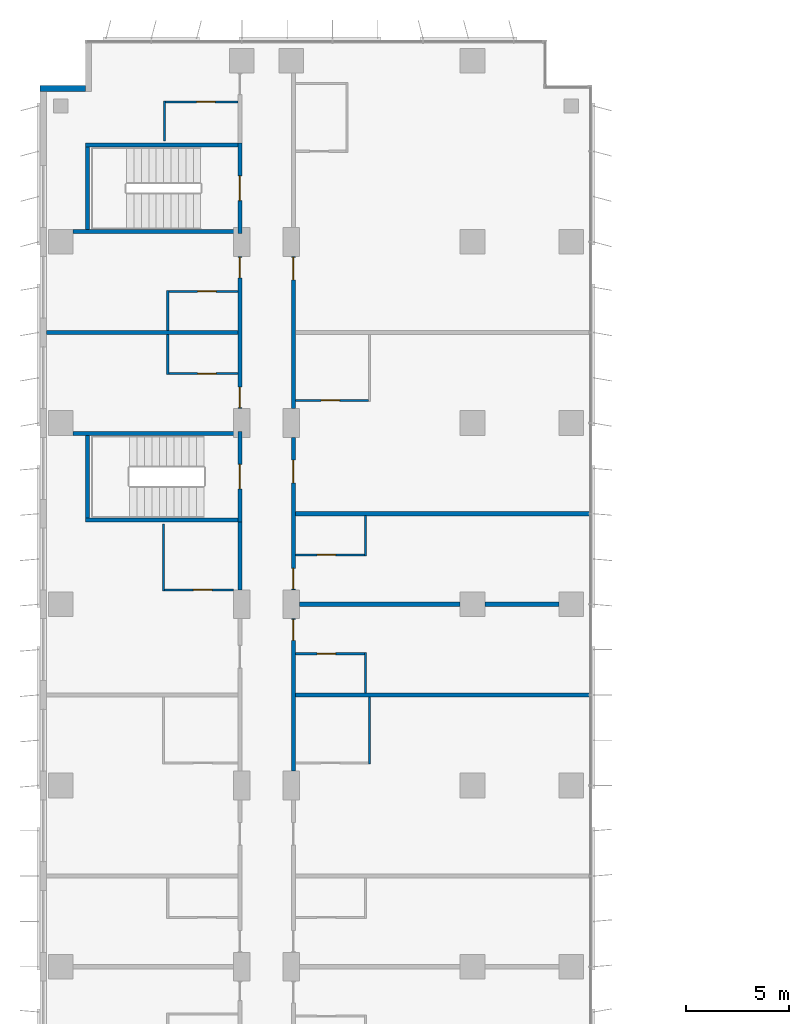
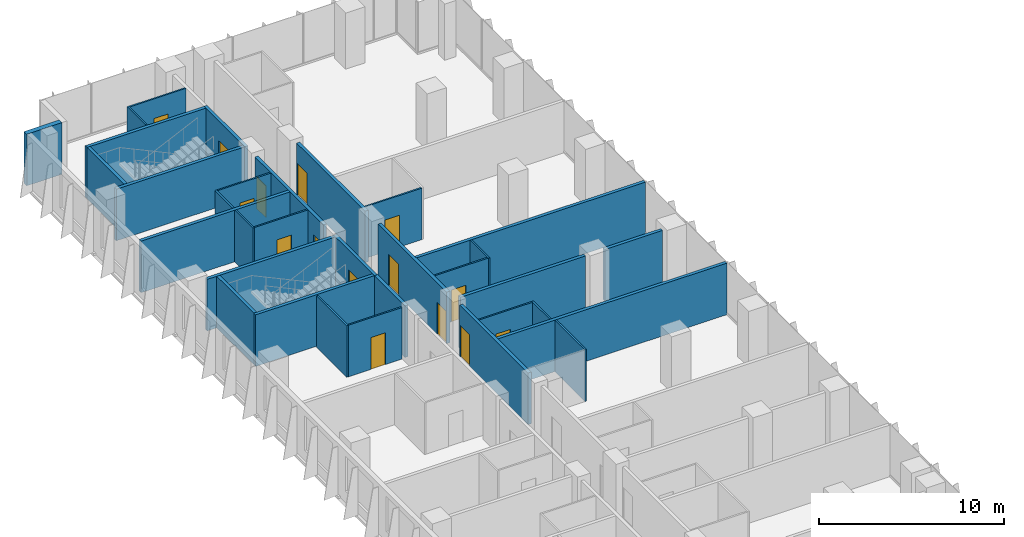
# One storey, part 17 of 23: 33 walls, 15 doors, 15 openings.
"""IFC4 building model written with IfcOpenShell, lengths in metres."""

from ifc_helpers import new_model, si_unit, direction, frame, frame_2d, origin, place, context, subcontext, project, spatial, rectangle, extrude, material, layer, layer_set, type_object, element, fill, save


model = new_model("IFC4")

# Units and contexts
model_context = context("Model", 3, precision=1e-05, world=origin(), true_north=direction((0.0, 1.0)))
body_context = subcontext(model_context, "Body", "Model", "MODEL_VIEW")
ifc_project = project(units=[si_unit("LENGTHUNIT", "METRE"), si_unit("AREAUNIT", "SQUARE_METRE"), si_unit("VOLUMEUNIT", "CUBIC_METRE"), si_unit("PLANEANGLEUNIT", "RADIAN"), si_unit("MASSUNIT", "GRAM", prefix="KILO")], contexts=[model_context])

# Site, building, storey
site_placement = place(None, origin())
site = spatial("IfcSite", under=ifc_project, at=site_placement, CompositionType="ELEMENT")
building_placement = place(site_placement, origin())
building = spatial("IfcBuilding", under=site, at=building_placement, Name="Kemantara Hotel Tower", CompositionType="ELEMENT")
storey_placement = place(building_placement, frame((0.0, 0.0, 142.0)))
storey = spatial("IfcBuildingStorey", under=building, at=storey_placement, Name="L34", CompositionType="ELEMENT", Elevation=142.0)

# Walls
ifc_material_1 = material(Name="Bronze anodised aluminium cladding on insulated steel stud wall", Category="steel")
ifc_layer_1 = layer(ifc_material_1, 0.300048828125)
ifc_layer_set_1 = layer_set([ifc_layer_1], Name="Bronze anodised aluminium cladding on insulated steel stud wall")
wall_type_1 = type_object("IfcWallType", Name="BRONZE METAL-CLAD EXTERNAL WALL 300", PredefinedType="STANDARD", material=ifc_layer_set_1)
wall_1_placement = place(storey_placement, frame((2.199951171875, 78.85009765625, 0.0), z_axis=(0.0, 0.0, 1.0), x_axis=(-1.0, 0.0, 0.0)))
element("IfcWall", 1, at=wall_1_placement, inside=storey, type_object=wall_type_1, Name="EXTERNAL WALL L34 T2-R03", PredefinedType="STANDARD", context=body_context, shape_type="SweptSolid", body=[
    extrude(rectangle(XDim=2.199951171875, YDim=0.300048828125, at=frame_2d((1.10009765625, 0.0))), origin(), (0.0, 0.0, 1.0), 3.39990234375),
])
ifc_material_2 = material(Name="Gypsum board partition, steel studs and mineral wool, 200 mm", Category="steel")
ifc_layer_2 = layer(ifc_material_2, 0.199951171875)
ifc_layer_set_2 = layer_set([ifc_layer_2], Name="Gypsum board partition, steel studs and mineral wool, 200 mm")
wall_type_2 = type_object("IfcWallType", Name="CORRIDOR WALL 200", PredefinedType="PARTITIONING", material=ifc_layer_set_2)
wall_2_placement = place(storey_placement, frame((9.699951171875, 54.5, 0.0), z_axis=(0.0, 0.0, 1.0), x_axis=(0.0, 1.0, 0.0)))
element("IfcWall", 2, at=wall_2_placement, inside=storey, type_object=wall_type_2, Name="CORRIDOR WALL 200 023", PredefinedType="PARTITIONING", context=body_context, shape_type="SweptSolid", body=[
    extrude(rectangle(XDim=3.300048828125, YDim=0.199951171875, at=frame_2d((1.64990234375, 0.0))), origin(), (0.0, 0.0, 1.0), 3.39990234375),
])

# Wall, openings, doors
wall_3_placement = place(storey_placement, frame((9.699951171875, 63.300048828125, 0.0), z_axis=(0.0, 0.0, 1.0), x_axis=(0.0, 1.0, 0.0)))
wall_3 = element("IfcWall", 3, at=wall_3_placement, inside=storey, type_object=wall_type_2, Name="CORRIDOR WALL 200 024", PredefinedType="PARTITIONING", context=body_context, shape_type="SweptSolid", body=[
    extrude(rectangle(XDim=7.39990234375, YDim=0.199951171875, at=frame_2d((3.699951171875, 0.0))), origin(), (0.0, 0.0, 1.0), 3.39990234375),
])
opening_1_placement = place(wall_3_placement, frame((0.0498046875, 0.0, 0.0)))
opening_1 = element("IfcOpeningElement", 4, at=opening_1_placement, cuts=wall_3, Name="Opening F15-035", PredefinedType="OPENING", context=body_context, shape_type="SweptSolid", body=[
    extrude(rectangle(XDim=1.0, YDim=2.10009765625, at=frame_2d((0.5, 1.050048828125))), frame((0.0, 0.10986328125, 0.0), z_axis=(0.0, -1.0, 0.0), x_axis=(1.0, 0.0, 0.0)), (0.0, 0.0, 1.0), 0.219970703125),
])
opening_2_placement = place(wall_3_placement, frame((6.349853515625, 0.0, 0.0)))
opening_2 = element("IfcOpeningElement", 5, at=opening_2_placement, cuts=wall_3, Name="Opening F15-037", PredefinedType="OPENING", context=body_context, shape_type="SweptSolid", body=[
    extrude(rectangle(XDim=1.0, YDim=2.10009765625, at=frame_2d((0.5, 1.050048828125))), frame((0.0, 0.10986328125, 0.0), z_axis=(0.0, -1.0, 0.0), x_axis=(1.0, 0.0, 0.0)), (0.0, 0.0, 1.0), 0.219970703125),
])
ifc_material_3 = material(Name="Hardwood veneer door leaf with steel frame", Category="steel")
door_type_1 = type_object("IfcDoorType", Name="GUEST ROOM DOOR 1000 X 2100 FD30S", OperationType="NOTDEFINED", PredefinedType="DOOR", material=ifc_material_3)
door_1_placement = place(opening_1_placement, origin())
door_1 = element("IfcDoor", 6, at=door_1_placement, inside=storey, type_object=door_type_1, Name="GUEST ROOM DOOR F15-035", OperationType="SINGLE_SWING_LEFT", OverallHeight=2.10009765625, OverallWidth=1.0, PredefinedType="DOOR", context=body_context, shape_type="SweptSolid", body=[
    extrude(rectangle(XDim=1.0, YDim=2.10009765625, at=frame_2d((0.5, 1.050048828125))), frame((0.0, 0.02490234375, 0.0), z_axis=(0.0, -1.0, 0.0), x_axis=(1.0, 0.0, 0.0)), (0.0, 0.0, 1.0), 0.050048828125),
])
fill(opening_1, door_1)
door_2_placement = place(opening_2_placement, origin())
door_2 = element("IfcDoor", 7, at=door_2_placement, inside=storey, type_object=door_type_1, Name="GUEST ROOM DOOR F15-037", OperationType="SINGLE_SWING_RIGHT", OverallHeight=2.10009765625, OverallWidth=1.0, PredefinedType="DOOR", context=body_context, shape_type="SweptSolid", body=[
    extrude(rectangle(XDim=1.0, YDim=2.10009765625, at=frame_2d((0.5, 1.050048828125))), frame((0.0, 0.02490234375, 0.0), z_axis=(0.0, -1.0, 0.0), x_axis=(1.0, 0.0, 0.0)), (0.0, 0.0, 1.0), 0.050048828125),
])
fill(opening_2, door_2)

# Wall, opening, door
wall_4_placement = place(storey_placement, frame((12.300048828125, 53.099853515625, 0.0), z_axis=(0.0, 0.0, 1.0), x_axis=(0.0, -1.0, 0.0)))
wall_4 = element("IfcWall", 8, at=wall_4_placement, inside=storey, type_object=wall_type_2, Name="CORRIDOR WALL 200 042", PredefinedType="PARTITIONING", context=body_context, shape_type="SweptSolid", body=[
    extrude(rectangle(XDim=7.399658203125, YDim=0.199951171875, at=frame_2d((3.69970703125, 0.0))), origin(), (0.0, 0.0, 1.0), 3.39990234375),
])
opening_3_placement = place(wall_4_placement, frame((0.0498046875, 0.0, 0.0)))
opening_3 = element("IfcOpeningElement", 9, at=opening_3_placement, cuts=wall_4, Name="Opening F15-049", PredefinedType="OPENING", context=body_context, shape_type="SweptSolid", body=[
    extrude(rectangle(XDim=1.0, YDim=2.10009765625, at=frame_2d((0.5, 1.050048828125))), frame((0.0, 0.10986328125, 0.0), z_axis=(0.0, -1.0, 0.0), x_axis=(1.0, 0.0, 0.0)), (0.0, 0.0, 1.0), 0.219970703125),
])
door_3_placement = place(opening_3_placement, origin())
door_3 = element("IfcDoor", 10, at=door_3_placement, inside=storey, type_object=door_type_1, Name="GUEST ROOM DOOR F15-049", OperationType="SINGLE_SWING_LEFT", OverallHeight=2.10009765625, OverallWidth=1.0, PredefinedType="DOOR", context=body_context, shape_type="SweptSolid", body=[
    extrude(rectangle(XDim=1.0, YDim=2.10009765625, at=frame_2d((0.5, 1.050048828125))), frame((0.0, 0.02490234375, 0.0), z_axis=(0.0, -1.0, 0.0), x_axis=(1.0, 0.0, 0.0)), (0.0, 0.0, 1.0), 0.050048828125),
])
fill(opening_3, door_3)

# Wall, openings, doors
wall_5_placement = place(storey_placement, frame((12.300048828125, 61.89990234375, 0.0), z_axis=(0.0, 0.0, 1.0), x_axis=(0.0, -1.0, 0.0)))
wall_5 = element("IfcWall", 11, at=wall_5_placement, inside=storey, type_object=wall_type_2, Name="CORRIDOR WALL 200 043", PredefinedType="PARTITIONING", context=body_context, shape_type="SweptSolid", body=[
    extrude(rectangle(XDim=7.39990234375, YDim=0.199951171875, at=frame_2d((3.699951171875, 0.0))), origin(), (0.0, 0.0, 1.0), 3.39990234375),
])
opening_4_placement = place(wall_5_placement, frame((6.349853515625, 0.0, 0.0)))
opening_4 = element("IfcOpeningElement", 12, at=opening_4_placement, cuts=wall_5, Name="Opening F15-051", PredefinedType="OPENING", context=body_context, shape_type="SweptSolid", body=[
    extrude(rectangle(XDim=1.0, YDim=2.10009765625, at=frame_2d((0.5, 1.050048828125))), frame((0.0, 0.10986328125, 0.0), z_axis=(0.0, -1.0, 0.0), x_axis=(1.0, 0.0, 0.0)), (0.0, 0.0, 1.0), 0.219970703125),
])
opening_5_placement = place(wall_5_placement, frame((1.099853515625, 0.0, 0.0)))
opening_5 = element("IfcOpeningElement", 13, at=opening_5_placement, cuts=wall_5, Name="Opening F15-053", PredefinedType="OPENING", context=body_context, shape_type="SweptSolid", body=[
    extrude(rectangle(XDim=1.10009765625, YDim=2.10009765625, at=frame_2d((0.550048828125, 1.050048828125))), frame((0.0, 0.10986328125, 0.0), z_axis=(0.0, -1.0, 0.0), x_axis=(1.0, 0.0, 0.0)), (0.0, 0.0, 1.0), 0.219970703125),
])
door_4_placement = place(opening_4_placement, origin())
door_4 = element("IfcDoor", 14, at=door_4_placement, inside=storey, type_object=door_type_1, Name="GUEST ROOM DOOR F15-051", OperationType="SINGLE_SWING_RIGHT", OverallHeight=2.10009765625, OverallWidth=1.0, PredefinedType="DOOR", context=body_context, shape_type="SweptSolid", body=[
    extrude(rectangle(XDim=1.0, YDim=2.10009765625, at=frame_2d((0.5, 1.050048828125))), frame((0.0, 0.02490234375, 0.0), z_axis=(0.0, -1.0, 0.0), x_axis=(1.0, 0.0, 0.0)), (0.0, 0.0, 1.0), 0.050048828125),
])
fill(opening_4, door_4)
door_type_2 = type_object("IfcDoorType", Name="SUITE ENTRANCE DOOR 1100 X 2100 FD30S", OperationType="NOTDEFINED", PredefinedType="DOOR", material=ifc_material_3)
door_5_placement = place(opening_5_placement, origin())
door_5 = element("IfcDoor", 15, at=door_5_placement, inside=storey, type_object=door_type_2, Name="SUITE ENTRANCE DOOR F15-053", OperationType="SINGLE_SWING_RIGHT", OverallHeight=2.10009765625, OverallWidth=1.10009765625, PredefinedType="DOOR", context=body_context, shape_type="SweptSolid", body=[
    extrude(rectangle(XDim=1.10009765625, YDim=2.10009765625, at=frame_2d((0.550048828125, 1.050048828125))), frame((0.0, 0.02490234375, 0.0), z_axis=(0.0, -1.0, 0.0), x_axis=(1.0, 0.0, 0.0)), (0.0, 0.0, 1.0), 0.050048828125),
])
fill(opening_5, door_5)

# Wall, opening, door
wall_6_placement = place(storey_placement, frame((12.300048828125, 70.699951171875, 0.0), z_axis=(0.0, 0.0, 1.0), x_axis=(0.0, -1.0, 0.0)))
wall_6 = element("IfcWall", 16, at=wall_6_placement, inside=storey, type_object=wall_type_2, Name="CORRIDOR WALL 200 044", PredefinedType="PARTITIONING", context=body_context, shape_type="SweptSolid", body=[
    extrude(rectangle(XDim=7.39990234375, YDim=0.199951171875, at=frame_2d((3.699951171875, 0.0))), origin(), (0.0, 0.0, 1.0), 3.39990234375),
])
opening_6_placement = place(wall_6_placement, frame((0.0498046875, 0.0, 0.0)))
opening_6 = element("IfcOpeningElement", 17, at=opening_6_placement, cuts=wall_6, Name="Opening F15-055", PredefinedType="OPENING", context=body_context, shape_type="SweptSolid", body=[
    extrude(rectangle(XDim=1.10009765625, YDim=2.10009765625, at=frame_2d((0.550048828125, 1.050048828125))), frame((0.0, 0.10986328125, 0.0), z_axis=(0.0, -1.0, 0.0), x_axis=(1.0, 0.0, 0.0)), (0.0, 0.0, 1.0), 0.219970703125),
])
door_6_placement = place(opening_6_placement, origin())
door_6 = element("IfcDoor", 18, at=door_6_placement, inside=storey, type_object=door_type_2, Name="SUITE ENTRANCE DOOR F15-055", OperationType="SINGLE_SWING_RIGHT", OverallHeight=2.10009765625, OverallWidth=1.10009765625, PredefinedType="DOOR", context=body_context, shape_type="SweptSolid", body=[
    extrude(rectangle(XDim=1.10009765625, YDim=2.10009765625, at=frame_2d((0.550048828125, 1.050048828125))), frame((0.0, 0.02490234375, 0.0), z_axis=(0.0, -1.0, 0.0), x_axis=(1.0, 0.0, 0.0)), (0.0, 0.0, 1.0), 0.050048828125),
])
fill(opening_6, door_6)

ifc_material_4 = material(Name="Concrete fc 40 MPa", Category="concrete")
ifc_layer_3 = layer(ifc_material_4, 0.199951171875)
ifc_layer_set_3 = layer_set([ifc_layer_3], Name="Concrete fc 40 MPa")
wall_type_3 = type_object("IfcWallType", Name="Concrete stair wall 200 mm", PredefinedType="SHEAR", material=ifc_layer_set_3)
wall_7_placement = place(storey_placement, frame((9.699951171875, 57.800048828125, 0.0), z_axis=(0.0, 0.0, 1.0), x_axis=(0.0, 1.0, 0.0)))
wall_7 = element("IfcWall", 19, at=wall_7_placement, inside=storey, type_object=wall_type_3, Name="Stair ST4 enclosure wall with door", PredefinedType="SHEAR", context=body_context, shape_type="SweptSolid", body=[
    extrude(rectangle(XDim=4.39990234375, YDim=0.199951171875, at=frame_2d((2.199951171875, 0.0))), origin(), (0.0, 0.0, 1.0), 3.39990234375),
])
opening_7_placement = place(wall_7_placement, frame((1.60009765625, 0.0, 0.0)))
opening_7 = element("IfcOpeningElement", 20, at=opening_7_placement, cuts=wall_7, Name="Opening ST4-C", PredefinedType="OPENING", context=body_context, shape_type="SweptSolid", body=[
    extrude(rectangle(XDim=1.199951171875, YDim=2.10009765625, at=frame_2d((0.60009765625, 1.050048828125))), frame((0.0, 0.10986328125, 0.0), z_axis=(0.0, -1.0, 0.0), x_axis=(1.0, 0.0, 0.0)), (0.0, 0.0, 1.0), 0.219970703125),
])
ifc_material_5 = material(Name="Steel fire door", Category="steel")
door_type_3 = type_object("IfcDoorType", Name="Fire door FD90 1200 x 2100", OperationType="NOTDEFINED", PredefinedType="DOOR", material=ifc_material_5)
door_7_placement = place(opening_7_placement, origin())
door_7 = element("IfcDoor", 21, at=door_7_placement, inside=storey, type_object=door_type_3, Name="Stair ST4 door", OperationType="SINGLE_SWING_RIGHT", OverallHeight=2.10009765625, OverallWidth=1.199951171875, PredefinedType="DOOR", context=body_context, shape_type="SweptSolid", body=[
    extrude(rectangle(XDim=1.199951171875, YDim=2.10009765625, at=frame_2d((0.60009765625, 1.050048828125))), frame((0.0, 0.02490234375, 0.0), z_axis=(0.0, -1.0, 0.0), x_axis=(1.0, 0.0, 0.0)), (0.0, 0.0, 1.0), 0.050048828125),
])
fill(opening_7, door_7)

# Walls
wall_8_placement = place(storey_placement, frame((1.60009765625, 62.10009765625, 0.0), z_axis=(0.0, 0.0, 1.0), x_axis=(1.0, 0.0, 0.0)))
element("IfcWall", 22, at=wall_8_placement, inside=storey, type_object=wall_type_3, Name="Stair ST4 enclosure wall N", PredefinedType="SHEAR", context=body_context, shape_type="SweptSolid", body=[
    extrude(rectangle(XDim=8.0, YDim=0.199951171875, at=frame_2d((4.0, 0.0))), origin(), (0.0, 0.0, 1.0), 3.39990234375),
])
wall_9_placement = place(storey_placement, frame((2.199951171875, 57.89990234375, 0.0), z_axis=(0.0, 0.0, 1.0), x_axis=(1.0, 0.0, 0.0)))
element("IfcWall", 23, at=wall_9_placement, inside=storey, type_object=wall_type_3, Name="Stair ST4 enclosure wall S", PredefinedType="SHEAR", context=body_context, shape_type="SweptSolid", body=[
    extrude(rectangle(XDim=7.400146484375, YDim=0.199951171875, at=frame_2d((3.7001953125, 0.0))), origin(), (0.0, 0.0, 1.0), 3.39990234375),
])
wall_10_placement = place(storey_placement, frame((2.300048828125, 58.0, 0.0), z_axis=(0.0, 0.0, 1.0), x_axis=(0.0, 1.0, 0.0)))
element("IfcWall", 24, at=wall_10_placement, inside=storey, type_object=wall_type_3, Name="Stair ST4 enclosure wall W", PredefinedType="SHEAR", context=body_context, shape_type="SweptSolid", body=[
    extrude(rectangle(XDim=4.0, YDim=0.199951171875, at=frame_2d((2.0, 0.0))), origin(), (0.0, 0.0, 1.0), 3.39990234375),
])

# Wall, opening, door
wall_11_placement = place(storey_placement, frame((9.699951171875, 71.800048828125, 0.0), z_axis=(0.0, 0.0, 1.0), x_axis=(0.0, 1.0, 0.0)))
wall_11 = element("IfcWall", 25, at=wall_11_placement, inside=storey, type_object=wall_type_3, Name="Stair ST6 enclosure wall with door", PredefinedType="SHEAR", context=body_context, shape_type="SweptSolid", body=[
    extrude(rectangle(XDim=4.39990234375, YDim=0.199951171875, at=frame_2d((2.199951171875, 0.0))), origin(), (0.0, 0.0, 1.0), 3.39990234375),
])
opening_8_placement = place(wall_11_placement, frame((1.60009765625, 0.0, 0.0)))
opening_8 = element("IfcOpeningElement", 26, at=opening_8_placement, cuts=wall_11, Name="Opening ST6-C", PredefinedType="OPENING", context=body_context, shape_type="SweptSolid", body=[
    extrude(rectangle(XDim=1.199951171875, YDim=2.10009765625, at=frame_2d((0.60009765625, 1.050048828125))), frame((0.0, 0.10986328125, 0.0), z_axis=(0.0, -1.0, 0.0), x_axis=(1.0, 0.0, 0.0)), (0.0, 0.0, 1.0), 0.219970703125),
])
door_8_placement = place(opening_8_placement, origin())
door_8 = element("IfcDoor", 27, at=door_8_placement, inside=storey, type_object=door_type_3, Name="Stair ST6 door", OperationType="SINGLE_SWING_RIGHT", OverallHeight=2.10009765625, OverallWidth=1.199951171875, PredefinedType="DOOR", context=body_context, shape_type="SweptSolid", body=[
    extrude(rectangle(XDim=1.199951171875, YDim=2.10009765625, at=frame_2d((0.60009765625, 1.050048828125))), frame((0.0, 0.02490234375, 0.0), z_axis=(0.0, -1.0, 0.0), x_axis=(1.0, 0.0, 0.0)), (0.0, 0.0, 1.0), 0.050048828125),
])
fill(opening_8, door_8)

# Walls
wall_12_placement = place(storey_placement, frame((2.199951171875, 76.10009765625, 0.0), z_axis=(0.0, 0.0, 1.0), x_axis=(1.0, 0.0, 0.0)))
element("IfcWall", 28, at=wall_12_placement, inside=storey, type_object=wall_type_3, Name="Stair ST6 enclosure wall N", PredefinedType="SHEAR", context=body_context, shape_type="SweptSolid", body=[
    extrude(rectangle(XDim=7.400146484375, YDim=0.199951171875, at=frame_2d((3.7001953125, 0.0))), origin(), (0.0, 0.0, 1.0), 3.39990234375),
])
wall_13_placement = place(storey_placement, frame((1.60009765625, 71.89990234375, 0.0), z_axis=(0.0, 0.0, 1.0), x_axis=(1.0, 0.0, 0.0)))
element("IfcWall", 29, at=wall_13_placement, inside=storey, type_object=wall_type_3, Name="Stair ST6 enclosure wall S", PredefinedType="SHEAR", context=body_context, shape_type="SweptSolid", body=[
    extrude(rectangle(XDim=8.0, YDim=0.199951171875, at=frame_2d((4.0, 0.0))), origin(), (0.0, 0.0, 1.0), 3.39990234375),
])
wall_14_placement = place(storey_placement, frame((2.300048828125, 72.0, 0.0), z_axis=(0.0, 0.0, 1.0), x_axis=(0.0, 1.0, 0.0)))
element("IfcWall", 30, at=wall_14_placement, inside=storey, type_object=wall_type_3, Name="Stair ST6 enclosure wall W", PredefinedType="SHEAR", context=body_context, shape_type="SweptSolid", body=[
    extrude(rectangle(XDim=4.0, YDim=0.199951171875, at=frame_2d((2.0, 0.0))), origin(), (0.0, 0.0, 1.0), 3.39990234375),
])
ifc_layer_4 = layer(ifc_material_2, 0.199951171875)
ifc_layer_set_4 = layer_set([ifc_layer_4], Name="Gypsum board partition, steel studs and mineral wool, 200 mm")
wall_type_4 = type_object("IfcWallType", Name="GUEST ROOM PARTY WALL 200", PredefinedType="PARTITIONING", material=ifc_layer_set_4)
wall_15_placement = place(storey_placement, frame((12.39990234375, 49.39990234375, 0.0), z_axis=(0.0, 0.0, 1.0), x_axis=(1.0, 0.0, 0.0)))
element("IfcWall", 31, at=wall_15_placement, inside=storey, type_object=wall_type_4, Name="GUEST ROOM PARTY WALL 200 036", PredefinedType="PARTITIONING", context=body_context, shape_type="SweptSolid", body=[
    extrude(rectangle(XDim=14.27001953125, YDim=0.199951171875, at=frame_2d((7.135009765625, 0.0))), origin(), (0.0, 0.0, 1.0), 3.39990234375),
])
wall_16_placement = place(storey_placement, frame((0.31005859375, 67.0, 0.0), z_axis=(0.0, 0.0, 1.0), x_axis=(1.0, 0.0, 0.0)))
element("IfcWall", 32, at=wall_16_placement, inside=storey, type_object=wall_type_4, Name="GUEST ROOM PARTY WALL 200 037", PredefinedType="PARTITIONING", context=body_context, shape_type="SweptSolid", body=[
    extrude(rectangle(XDim=9.2900390625, YDim=0.199951171875, at=frame_2d((4.64501953125, 0.0))), origin(), (0.0, 0.0, 1.0), 3.39990234375),
])
wall_17_placement = place(storey_placement, frame((12.60009765625, 53.800048828125, 0.0), z_axis=(0.0, 0.0, 1.0), x_axis=(1.0, 0.0, 0.0)))
element("IfcWall", 33, at=wall_17_placement, inside=storey, type_object=wall_type_4, Name="GUEST ROOM PARTY WALL 200 048", PredefinedType="PARTITIONING", context=body_context, shape_type="SweptSolid", body=[
    extrude(rectangle(XDim=7.7998046875, YDim=0.199951171875, at=frame_2d((3.89990234375, 0.0))), origin(), (0.0, 0.0, 1.0), 3.39990234375),
])
wall_18_placement = place(storey_placement, frame((21.60009765625, 53.800048828125, 0.0), z_axis=(0.0, 0.0, 1.0), x_axis=(1.0, 0.0, 0.0)))
element("IfcWall", 34, at=wall_18_placement, inside=storey, type_object=wall_type_4, Name="GUEST ROOM PARTY WALL 200 049", PredefinedType="PARTITIONING", context=body_context, shape_type="SweptSolid", body=[
    extrude(rectangle(XDim=3.599853515625, YDim=0.199951171875, at=frame_2d((1.7998046875, 0.0))), origin(), (0.0, 0.0, 1.0), 3.39990234375),
])
wall_19_placement = place(storey_placement, frame((12.39990234375, 58.199951171875, 0.0), z_axis=(0.0, 0.0, 1.0), x_axis=(1.0, 0.0, 0.0)))
element("IfcWall", 35, at=wall_19_placement, inside=storey, type_object=wall_type_4, Name="GUEST ROOM PARTY WALL 200 050", PredefinedType="PARTITIONING", context=body_context, shape_type="SweptSolid", body=[
    extrude(rectangle(XDim=14.27001953125, YDim=0.199951171875, at=frame_2d((7.135009765625, 0.0))), origin(), (0.0, 0.0, 1.0), 3.39990234375),
])
ifc_material_6 = material(Name="Gypsum board partition on steel studs, 100 mm", Category="steel")
ifc_layer_5 = layer(ifc_material_6, 0.10009765625)
ifc_layer_set_5 = layer_set([ifc_layer_5], Name="Gypsum board partition on steel studs, 100 mm")
wall_type_5 = type_object("IfcWallType", Name="ROOM PARTITION 100", PredefinedType="PARTITIONING", material=ifc_layer_set_5)
wall_20_placement = place(storey_placement, frame((6.050048828125, 76.300048828125, 0.0), z_axis=(0.0, 0.0, 1.0), x_axis=(0.0, 1.0, 0.0)))
element("IfcWall", 36, at=wall_20_placement, inside=storey, type_object=wall_type_5, Name="ROOM PARTITION 100 071", PredefinedType="PARTITIONING", context=body_context, shape_type="SweptSolid", body=[
    extrude(rectangle(XDim=1.949951171875, YDim=0.10009765625, at=frame_2d((0.97509765625, 0.0))), origin(), (0.0, 0.0, 1.0), 3.39990234375),
])
wall_21_placement = place(storey_placement, frame((6.0, 54.449951171875, 0.0), z_axis=(0.0, 0.0, 1.0), x_axis=(0.0, 1.0, 0.0)))
element("IfcWall", 37, at=wall_21_placement, inside=storey, type_object=wall_type_5, Name="ROOM PARTITION 100 078", PredefinedType="PARTITIONING", context=body_context, shape_type="SweptSolid", body=[
    extrude(rectangle(XDim=3.25, YDim=0.10009765625, at=frame_2d((1.625, 0.0))), origin(), (0.0, 0.0, 1.0), 3.39990234375),
])
for number, where, z_axis, x_axis, name in (
    (38, (6.199951171875, 64.949951171875, 0.0), (0.0, 0.0, 1.0), (0.0, 1.0, 0.0), "ROOM PARTITION 100 084"),
    (39, (6.199951171875, 67.10009765625, 0.0), (0.0, 0.0, 1.0), (0.0, 1.0, 0.0), "ROOM PARTITION 100 085"),
):
    element("IfcWall", number, at=place(storey_placement, frame(where, z_axis=z_axis, x_axis=x_axis)), inside=storey, type_object=wall_type_5, Name=name, PredefinedType="PARTITIONING", context=body_context, shape_type="SweptSolid", body=[
        extrude(rectangle(XDim=1.949951171875, YDim=0.10009765625, at=frame_2d((0.97509765625, 0.0))), origin(), (0.0, 0.0, 1.0), 3.39990234375),
    ])

# Wall, opening, door
wall_22_placement = place(storey_placement, frame((6.050048828125, 54.5, 0.0), z_axis=(0.0, 0.0, 1.0), x_axis=(1.0, 0.0, 0.0)))
wall_22 = element("IfcWall", 40, at=wall_22_placement, inside=storey, type_object=wall_type_5, Name="ROOM PARTITION 100 091", PredefinedType="PARTITIONING", context=body_context, shape_type="SweptSolid", body=[
    extrude(rectangle(XDim=3.349853515625, YDim=0.10009765625, at=frame_2d((1.6748046875, 0.0))), origin(), (0.0, 0.0, 1.0), 3.39990234375),
])
opening_9_placement = place(wall_22_placement, frame((1.39990234375, 0.0, 0.0)))
opening_9 = element("IfcOpeningElement", 41, at=opening_9_placement, cuts=wall_22, Name="Opening F15-034", PredefinedType="OPENING", context=body_context, shape_type="SweptSolid", body=[
    extrude(rectangle(XDim=0.89990234375, YDim=2.10009765625, at=frame_2d((0.449951171875, 1.050048828125))), frame((0.0, 0.06005859375, 0.0), z_axis=(0.0, -1.0, 0.0), x_axis=(1.0, 0.0, 0.0)), (0.0, 0.0, 1.0), 0.1201171875),
])
door_type_4 = type_object("IfcDoorType", Name="BATHROOM DOOR 900 X 2100", OperationType="NOTDEFINED", PredefinedType="DOOR", material=ifc_material_3)
door_9_placement = place(opening_9_placement, origin())
door_9 = element("IfcDoor", 42, at=door_9_placement, inside=storey, type_object=door_type_4, Name="BATHROOM DOOR F15-034", OperationType="SINGLE_SWING_RIGHT", OverallHeight=2.10009765625, OverallWidth=0.89990234375, PredefinedType="DOOR", context=body_context, shape_type="SweptSolid", body=[
    extrude(rectangle(XDim=0.89990234375, YDim=2.10009765625, at=frame_2d((0.449951171875, 1.050048828125))), frame((0.0, 0.02490234375, 0.0), z_axis=(0.0, -1.0, 0.0), x_axis=(1.0, 0.0, 0.0)), (0.0, 0.0, 1.0), 0.050048828125),
])
fill(opening_9, door_9)

wall_23_placement = place(storey_placement, frame((6.25, 65.0, 0.0), z_axis=(0.0, 0.0, 1.0), x_axis=(1.0, 0.0, 0.0)))
wall_23 = element("IfcWall", 43, at=wall_23_placement, inside=storey, type_object=wall_type_5, Name="ROOM PARTITION 100 092", PredefinedType="PARTITIONING", context=body_context, shape_type="SweptSolid", body=[
    extrude(rectangle(XDim=3.35009765625, YDim=0.10009765625, at=frame_2d((1.675048828125, 0.0))), origin(), (0.0, 0.0, 1.0), 3.39990234375),
])
opening_10_placement = place(wall_23_placement, frame((1.39990234375, 0.0, 0.0)))
opening_10 = element("IfcOpeningElement", 44, at=opening_10_placement, cuts=wall_23, Name="Opening F15-036", PredefinedType="OPENING", context=body_context, shape_type="SweptSolid", body=[
    extrude(rectangle(XDim=0.89990234375, YDim=2.10009765625, at=frame_2d((0.449951171875, 1.050048828125))), frame((0.0, 0.06005859375, 0.0), z_axis=(0.0, -1.0, 0.0), x_axis=(1.0, 0.0, 0.0)), (0.0, 0.0, 1.0), 0.1201171875),
])
door_10_placement = place(opening_10_placement, origin())
door_10 = element("IfcDoor", 45, at=door_10_placement, inside=storey, type_object=door_type_4, Name="BATHROOM DOOR F15-036", OperationType="SINGLE_SWING_RIGHT", OverallHeight=2.10009765625, OverallWidth=0.89990234375, PredefinedType="DOOR", context=body_context, shape_type="SweptSolid", body=[
    extrude(rectangle(XDim=0.89990234375, YDim=2.10009765625, at=frame_2d((0.449951171875, 1.050048828125))), frame((0.0, 0.02490234375, 0.0), z_axis=(0.0, -1.0, 0.0), x_axis=(1.0, 0.0, 0.0)), (0.0, 0.0, 1.0), 0.050048828125),
])
fill(opening_10, door_10)

wall_24_placement = place(storey_placement, frame((9.60009765625, 69.0, 0.0), z_axis=(0.0, 0.0, 1.0), x_axis=(-1.0, 0.0, 0.0)))
wall_24 = element("IfcWall", 46, at=wall_24_placement, inside=storey, type_object=wall_type_5, Name="ROOM PARTITION 100 093", PredefinedType="PARTITIONING", context=body_context, shape_type="SweptSolid", body=[
    extrude(rectangle(XDim=3.35009765625, YDim=0.10009765625, at=frame_2d((1.675048828125, 0.0))), origin(), (0.0, 0.0, 1.0), 3.39990234375),
])
opening_11_placement = place(wall_24_placement, frame((1.050048828125, 0.0, 0.0)))
opening_11 = element("IfcOpeningElement", 47, at=opening_11_placement, cuts=wall_24, Name="Opening F15-038", PredefinedType="OPENING", context=body_context, shape_type="SweptSolid", body=[
    extrude(rectangle(XDim=0.89990234375, YDim=2.10009765625, at=frame_2d((0.449951171875, 1.050048828125))), frame((0.0, 0.06005859375, 0.0), z_axis=(0.0, -1.0, 0.0), x_axis=(1.0, 0.0, 0.0)), (0.0, 0.0, 1.0), 0.1201171875),
])
door_11_placement = place(opening_11_placement, origin())
door_11 = element("IfcDoor", 48, at=door_11_placement, inside=storey, type_object=door_type_4, Name="BATHROOM DOOR F15-038", OperationType="SINGLE_SWING_LEFT", OverallHeight=2.10009765625, OverallWidth=0.89990234375, PredefinedType="DOOR", context=body_context, shape_type="SweptSolid", body=[
    extrude(rectangle(XDim=0.89990234375, YDim=2.10009765625, at=frame_2d((0.449951171875, 1.050048828125))), frame((0.0, 0.02490234375, 0.0), z_axis=(0.0, -1.0, 0.0), x_axis=(1.0, 0.0, 0.0)), (0.0, 0.0, 1.0), 0.050048828125),
])
fill(opening_11, door_11)

wall_25_placement = place(storey_placement, frame((9.60009765625, 78.199951171875, 0.0), z_axis=(0.0, 0.0, 1.0), x_axis=(-1.0, 0.0, 0.0)))
wall_25 = element("IfcWall", 49, at=wall_25_placement, inside=storey, type_object=wall_type_5, Name="ROOM PARTITION 100 094", PredefinedType="PARTITIONING", context=body_context, shape_type="SweptSolid", body=[
    extrude(rectangle(XDim=3.5, YDim=0.10009765625, at=frame_2d((1.75, 0.0))), origin(), (0.0, 0.0, 1.0), 3.39990234375),
])
opening_12_placement = place(wall_25_placement, frame((1.10009765625, 0.0, 0.0)))
opening_12 = element("IfcOpeningElement", 50, at=opening_12_placement, cuts=wall_25, Name="Opening F15-040", PredefinedType="OPENING", context=body_context, shape_type="SweptSolid", body=[
    extrude(rectangle(XDim=0.89990234375, YDim=2.10009765625, at=frame_2d((0.449951171875, 1.050048828125))), frame((0.0, 0.06005859375, 0.0), z_axis=(0.0, -1.0, 0.0), x_axis=(1.0, 0.0, 0.0)), (0.0, 0.0, 1.0), 0.1201171875),
])
door_12_placement = place(opening_12_placement, origin())
door_12 = element("IfcDoor", 51, at=door_12_placement, inside=storey, type_object=door_type_4, Name="BATHROOM DOOR F15-040", OperationType="SINGLE_SWING_LEFT", OverallHeight=2.10009765625, OverallWidth=0.89990234375, PredefinedType="DOOR", context=body_context, shape_type="SweptSolid", body=[
    extrude(rectangle(XDim=0.89990234375, YDim=2.10009765625, at=frame_2d((0.449951171875, 1.050048828125))), frame((0.0, 0.02490234375, 0.0), z_axis=(0.0, -1.0, 0.0), x_axis=(1.0, 0.0, 0.0)), (0.0, 0.0, 1.0), 0.050048828125),
])
fill(opening_12, door_12)

# Walls
wall_26_placement = place(storey_placement, frame((16.0, 46.050048828125, 0.0), z_axis=(0.0, 0.0, 1.0), x_axis=(0.0, 1.0, 0.0)))
element("IfcWall", 52, at=wall_26_placement, inside=storey, type_object=wall_type_5, Name="ROOM PARTITION 100 096", PredefinedType="PARTITIONING", context=body_context, shape_type="SweptSolid", body=[
    extrude(rectangle(XDim=3.25, YDim=0.10009765625, at=frame_2d((1.625, 0.0))), origin(), (0.0, 0.0, 1.0), 3.39990234375),
])
wall_27_placement = place(storey_placement, frame((15.800048828125, 49.5, 0.0), z_axis=(0.0, 0.0, 1.0), x_axis=(0.0, 1.0, 0.0)))
element("IfcWall", 53, at=wall_27_placement, inside=storey, type_object=wall_type_5, Name="ROOM PARTITION 100 100", PredefinedType="PARTITIONING", context=body_context, shape_type="SweptSolid", body=[
    extrude(rectangle(XDim=1.949951171875, YDim=0.10009765625, at=frame_2d((0.97509765625, 0.0))), origin(), (0.0, 0.0, 1.0), 3.39990234375),
])
wall_28_placement = place(storey_placement, frame((15.800048828125, 56.14990234375, 0.0), z_axis=(0.0, 0.0, 1.0), x_axis=(0.0, 1.0, 0.0)))
element("IfcWall", 54, at=wall_28_placement, inside=storey, type_object=wall_type_5, Name="ROOM PARTITION 100 101", PredefinedType="PARTITIONING", context=body_context, shape_type="SweptSolid", body=[
    extrude(rectangle(XDim=1.9501953125, YDim=0.10009765625, at=frame_2d((0.97509765625, 0.0))), origin(), (0.0, 0.0, 1.0), 3.39990234375),
])

# Wall, opening, door
wall_29_placement = place(storey_placement, frame((15.75, 51.39990234375, 0.0), z_axis=(0.0, 0.0, 1.0), x_axis=(-1.0, 0.0, 0.0)))
wall_29 = element("IfcWall", 55, at=wall_29_placement, inside=storey, type_object=wall_type_5, Name="ROOM PARTITION 100 103", PredefinedType="PARTITIONING", context=body_context, shape_type="SweptSolid", body=[
    extrude(rectangle(XDim=3.35009765625, YDim=0.10009765625, at=frame_2d((1.675048828125, 0.0))), origin(), (0.0, 0.0, 1.0), 3.39990234375),
])
opening_13_placement = place(wall_29_placement, frame((1.39990234375, 0.0, 0.0)))
opening_13 = element("IfcOpeningElement", 56, at=opening_13_placement, cuts=wall_29, Name="Opening F15-050", PredefinedType="OPENING", context=body_context, shape_type="SweptSolid", body=[
    extrude(rectangle(XDim=0.89990234375, YDim=2.10009765625, at=frame_2d((0.449951171875, 1.050048828125))), frame((0.0, 0.06005859375, 0.0), z_axis=(0.0, -1.0, 0.0), x_axis=(1.0, 0.0, 0.0)), (0.0, 0.0, 1.0), 0.1201171875),
])
door_13_placement = place(opening_13_placement, origin())
door_13 = element("IfcDoor", 57, at=door_13_placement, inside=storey, type_object=door_type_4, Name="BATHROOM DOOR F15-050", OperationType="SINGLE_SWING_RIGHT", OverallHeight=2.10009765625, OverallWidth=0.89990234375, PredefinedType="DOOR", context=body_context, shape_type="SweptSolid", body=[
    extrude(rectangle(XDim=0.89990234375, YDim=2.10009765625, at=frame_2d((0.449951171875, 1.050048828125))), frame((0.0, 0.02490234375, 0.0), z_axis=(0.0, -1.0, 0.0), x_axis=(1.0, 0.0, 0.0)), (0.0, 0.0, 1.0), 0.050048828125),
])
fill(opening_13, door_13)

wall_30_placement = place(storey_placement, frame((12.39990234375, 56.199951171875, 0.0), z_axis=(0.0, 0.0, 1.0), x_axis=(1.0, 0.0, 0.0)))
wall_30 = element("IfcWall", 58, at=wall_30_placement, inside=storey, type_object=wall_type_5, Name="ROOM PARTITION 100 104", PredefinedType="PARTITIONING", context=body_context, shape_type="SweptSolid", body=[
    extrude(rectangle(XDim=3.35009765625, YDim=0.10009765625, at=frame_2d((1.675048828125, 0.0))), origin(), (0.0, 0.0, 1.0), 3.39990234375),
])
opening_14_placement = place(wall_30_placement, frame((1.050048828125, 0.0, 0.0)))
opening_14 = element("IfcOpeningElement", 59, at=opening_14_placement, cuts=wall_30, Name="Opening F15-052", PredefinedType="OPENING", context=body_context, shape_type="SweptSolid", body=[
    extrude(rectangle(XDim=0.89990234375, YDim=2.10009765625, at=frame_2d((0.449951171875, 1.050048828125))), frame((0.0, 0.06005859375, 0.0), z_axis=(0.0, -1.0, 0.0), x_axis=(1.0, 0.0, 0.0)), (0.0, 0.0, 1.0), 0.1201171875),
])
door_14_placement = place(opening_14_placement, origin())
door_14 = element("IfcDoor", 60, at=door_14_placement, inside=storey, type_object=door_type_4, Name="BATHROOM DOOR F15-052", OperationType="SINGLE_SWING_LEFT", OverallHeight=2.10009765625, OverallWidth=0.89990234375, PredefinedType="DOOR", context=body_context, shape_type="SweptSolid", body=[
    extrude(rectangle(XDim=0.89990234375, YDim=2.10009765625, at=frame_2d((0.449951171875, 1.050048828125))), frame((0.0, 0.02490234375, 0.0), z_axis=(0.0, -1.0, 0.0), x_axis=(1.0, 0.0, 0.0)), (0.0, 0.0, 1.0), 0.050048828125),
])
fill(opening_14, door_14)

wall_31_placement = place(storey_placement, frame((12.39990234375, 63.699951171875, 0.0), z_axis=(0.0, 0.0, 1.0), x_axis=(1.0, 0.0, 0.0)))
wall_31 = element("IfcWall", 61, at=wall_31_placement, inside=storey, type_object=wall_type_5, Name="ROOM PARTITION 100 105", PredefinedType="PARTITIONING", context=body_context, shape_type="SweptSolid", body=[
    extrude(rectangle(XDim=3.550048828125, YDim=0.10009765625, at=frame_2d((1.77490234375, 0.0))), origin(), (0.0, 0.0, 1.0), 3.39990234375),
])
opening_15_placement = place(wall_31_placement, frame((1.25, 0.0, 0.0)))
opening_15 = element("IfcOpeningElement", 62, at=opening_15_placement, cuts=wall_31, Name="Opening F15-054", PredefinedType="OPENING", context=body_context, shape_type="SweptSolid", body=[
    extrude(rectangle(XDim=0.89990234375, YDim=2.10009765625, at=frame_2d((0.449951171875, 1.050048828125))), frame((0.0, 0.06005859375, 0.0), z_axis=(0.0, -1.0, 0.0), x_axis=(1.0, 0.0, 0.0)), (0.0, 0.0, 1.0), 0.1201171875),
])
door_15_placement = place(opening_15_placement, origin())
door_15 = element("IfcDoor", 63, at=door_15_placement, inside=storey, type_object=door_type_4, Name="BATHROOM DOOR F15-054", OperationType="SINGLE_SWING_LEFT", OverallHeight=2.10009765625, OverallWidth=0.89990234375, PredefinedType="DOOR", context=body_context, shape_type="SweptSolid", body=[
    extrude(rectangle(XDim=0.89990234375, YDim=2.10009765625, at=frame_2d((0.449951171875, 1.050048828125))), frame((0.0, 0.02490234375, 0.0), z_axis=(0.0, -1.0, 0.0), x_axis=(1.0, 0.0, 0.0)), (0.0, 0.0, 1.0), 0.050048828125),
])
fill(opening_15, door_15)

save(model, "model.ifc")
